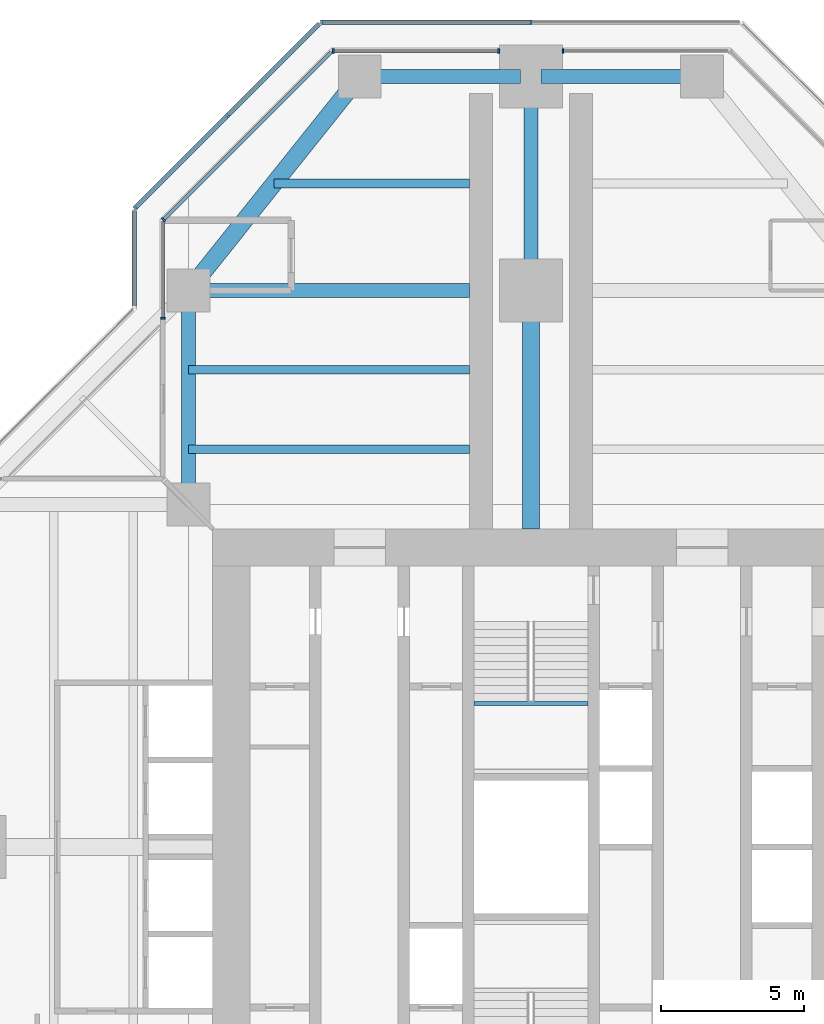
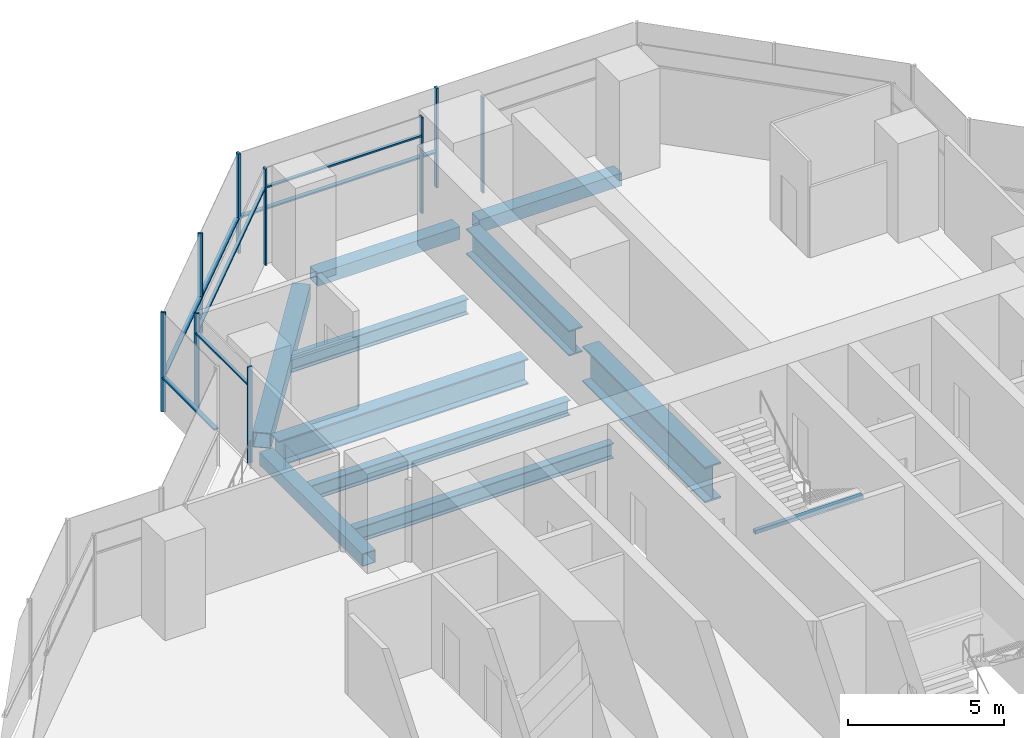
# One storey, part 7 of 17: 16 members, 11 beams, 7 elements without a shape of their own.
"""IFC4 building model written with IfcOpenShell, lengths in metres."""

from ifc_helpers import new_model, si_unit, direction, frame, origin, origin_2d, place, context, subcontext, project, spatial, rectangle, hollow_rectangle, i_section, extrude, material, material_profile, profile_set, type_object, element, aggregate, save


model = new_model("IFC4")

# Units and contexts
model_context = context("Model", 3, precision=1e-05, world=origin(), true_north=direction((0.0, 1.0)))
body_context = subcontext(model_context, "Body", "Model", "MODEL_VIEW")
ifc_project = project(units=[si_unit("LENGTHUNIT", "METRE"), si_unit("AREAUNIT", "SQUARE_METRE"), si_unit("VOLUMEUNIT", "CUBIC_METRE"), si_unit("PLANEANGLEUNIT", "RADIAN"), si_unit("MASSUNIT", "GRAM", prefix="KILO")], contexts=[model_context])

# Site, building, storey
site_placement = place(None, origin())
site = spatial("IfcSite", under=ifc_project, at=site_placement, CompositionType="ELEMENT")
building_placement = place(site_placement, origin())
building = spatial("IfcBuilding", under=site, at=building_placement, Name="Mizan Broadcast Tower", CompositionType="ELEMENT")
storey_placement = place(building_placement, frame((0.0, 0.0, 251.699951171875)))
storey = spatial("IfcBuildingStorey", under=building, at=storey_placement, Name="L59", CompositionType="ELEMENT", Elevation=251.699951171875)

# Beams
ifc_material_1 = material(Name="Steel S355", Category="steel")
ifc_material_profile_1 = material_profile(ifc_material_1, hollow_rectangle(XDim=0.5, YDim=0.5, WallThickness=0.030029296875, at=origin_2d()), Name="BOX 500x500x30")
ifc_profile_set_1 = profile_set([ifc_material_profile_1], Name="Steel S355")
beam_type_1 = type_object("IfcBeamType", Name="EDGE BEAM BOX 500x500x30", PredefinedType="SPANDREL", material=ifc_profile_set_1)
beam_1_placement = place(storey_placement, frame((5.639892578125, 27.0, -0.3798828125), z_axis=(-1.0, 0.0, 0.0), x_axis=(0.0, -1.0, 0.0)))
element("IfcBeam", 1, at=beam_1_placement, inside=storey, type_object=beam_type_1, Name="Edge beam BOX 500x500x30 L59 north arm", PredefinedType="SPANDREL", context=body_context, shape_type="SweptSolid", body=[
    extrude(hollow_rectangle(XDim=0.5, YDim=0.5, WallThickness=0.030029296875, at=origin_2d()), origin(), (0.0, 0.0, 1.0), 5.27978515625),
])
beam_2_placement = place(storey_placement, frame((-12.0, 12.449951171875, -0.3798828125), z_axis=(0.0, 1.0, 0.0), x_axis=(-1.0, 0.0, 0.0)))
element("IfcBeam", 2, at=beam_2_placement, inside=storey, type_object=beam_type_1, Name="Edge beam BOX 500x500x30 L59 north arm", PredefinedType="SPANDREL", context=body_context, shape_type="SweptSolid", body=[
    extrude(hollow_rectangle(XDim=0.5, YDim=0.5, WallThickness=0.030029296875, at=origin_2d()), origin(), (0.0, 0.0, 1.0), 6.60009765625),
])
beam_3_placement = place(storey_placement, frame((-5.639892578125, 27.0, -0.3798828125), z_axis=(1.0, 0.0, 0.0), x_axis=(0.0, 1.0, 0.0)))
element("IfcBeam", 3, at=beam_3_placement, inside=storey, type_object=beam_type_1, Name="Edge beam BOX 500x500x30 L59 north arm", PredefinedType="SPANDREL", context=body_context, shape_type="SweptSolid", body=[
    extrude(hollow_rectangle(XDim=0.5, YDim=0.5, WallThickness=0.030029296875, at=origin_2d()), origin(), (0.0, 0.0, 1.0), 5.27978515625),
])
ifc_material_2 = material(Name="Steel S355", Category="steel")
ifc_material_profile_2 = material_profile(ifc_material_2, hollow_rectangle(XDim=0.60009765625, YDim=0.60009765625, WallThickness=0.030029296875, at=origin_2d()), Name="BOX 600x600x30")
ifc_profile_set_2 = profile_set([ifc_material_profile_2], Name="Steel S355")
beam_type_2 = type_object("IfcBeamType", Name="EDGE BEAM BOX 600x600x30", PredefinedType="SPANDREL", material=ifc_profile_set_2)
beam_4_placement = place(storey_placement, frame((-11.639892578125, 19.949951171875, -0.429931640625), z_axis=(0.624673911726, 0.780885717636, 0.0), x_axis=(-0.780885717636, 0.624673911726, 0.0)))
element("IfcBeam", 4, at=beam_4_placement, inside=storey, type_object=beam_type_2, Name="Edge beam BOX 600x600x30 L59 north arm", PredefinedType="SPANDREL", context=body_context, shape_type="SweptSolid", body=[
    extrude(hollow_rectangle(XDim=0.60009765625, YDim=0.60009765625, WallThickness=0.030029296875, at=origin_2d()), origin(), (0.0, 0.0, 1.0), 8.4521484375),
])
ifc_material_3 = material(Name="Steel S460", Category="steel")
ifc_material_profile_3 = material_profile(ifc_material_3, i_section(OverallWidth=0.5, OverallDepth=1.0, WebThickness=0.02490234375, FlangeThickness=0.050048828125, at=origin_2d()), Name="WPG 1000x500")
ifc_profile_set_3 = profile_set([ifc_material_profile_3], Name="Steel S460")
beam_type_3 = type_object("IfcBeamType", Name="GIRDER WPG 1000x500", PredefinedType="BEAM", material=ifc_profile_set_3)
beam_5_placement = place(storey_placement, frame((0.0, 19.949951171875, -0.6298828125), z_axis=(0.0, 1.0, 0.0), x_axis=(-1.0, 0.0, 0.0)))
element("IfcBeam", 5, at=beam_5_placement, inside=storey, type_object=beam_type_3, Name="Girder WPG 1000x500 L59 north arm", PredefinedType="BEAM", context=body_context, shape_type="SweptSolid", body=[
    extrude(i_section(OverallWidth=0.5, OverallDepth=1.0, WebThickness=0.02490234375, FlangeThickness=0.050048828125, at=origin_2d()), origin(), (0.0, 0.0, 1.0), 6.60009765625),
])
beam_6_placement = place(storey_placement, frame((-11.408935546875, 19.5, -0.6298828125), z_axis=(1.0, 0.0, 0.0), x_axis=(0.0, 1.0, 0.0)))
element("IfcBeam", 6, at=beam_6_placement, inside=storey, type_object=beam_type_3, Name="Girder WPG 1000x500 L59 north arm", PredefinedType="BEAM", context=body_context, shape_type="SweptSolid", body=[
    extrude(i_section(OverallWidth=0.5, OverallDepth=1.0, WebThickness=0.02490234375, FlangeThickness=0.050048828125, at=origin_2d()), origin(), (0.0, 0.0, 1.0), 9.259033203125),
])
ifc_material_4 = material(Name="Steel S460", Category="steel")
ifc_material_profile_4 = material_profile(ifc_material_4, i_section(OverallWidth=0.60009765625, OverallDepth=1.39990234375, WebThickness=0.02490234375, FlangeThickness=0.06005859375, at=origin_2d()), Name="WPG 1400x600")
ifc_profile_set_4 = profile_set([ifc_material_profile_4], Name="Steel S460")
beam_type_4 = type_object("IfcBeamType", Name="GIRDER WPG 1400x600", PredefinedType="BEAM", material=ifc_profile_set_4)
beam_7_placement = place(storey_placement, frame((0.0, 11.14990234375, -0.829833984375), z_axis=(0.0, 1.0, 0.0), x_axis=(-1.0, 0.0, 0.0)))
element("IfcBeam", 7, at=beam_7_placement, inside=storey, type_object=beam_type_4, Name="Girder WPG 1400x600 L59 north arm", PredefinedType="BEAM", context=body_context, shape_type="SweptSolid", body=[
    extrude(i_section(OverallWidth=0.60009765625, OverallDepth=1.39990234375, WebThickness=0.02490234375, FlangeThickness=0.06005859375, at=origin_2d()), origin(), (0.0, 0.0, 1.0), 7.84912109375),
])

# Curtain wall, member
ifc_material_5 = material(Name="Aluminium framed glazing", Category="aluminium")
curtain_wall_type_1 = type_object("IfcCurtainWallType", Name="INNER SKIN HIGH ZONE", PredefinedType="USERDEFINED", material=ifc_material_5)
curtain_wall_1_placement = place(storey_placement, origin())
curtain_wall_1 = element("IfcCurtainWall", 8, at=curtain_wall_1_placement, inside=storey, type_object=curtain_wall_type_1, Name="Inner skin high zone L59 N end", ObjectType="INNER SKIN HIGH ZONE", PredefinedType="USERDEFINED")
ifc_material_6 = material(Name="Aluminium, pale anodised", Category="aluminium")
ifc_material_profile_5 = material_profile(ifc_material_6, rectangle(XDim=0.159912109375, YDim=0.06005859375, at=origin_2d()), Name="MULLION 160x60")
ifc_profile_set_5 = profile_set([ifc_material_profile_5], Name="Aluminium, pale anodised")
member_type_1 = type_object("IfcMemberType", Name="INNER SKIN MULLION 60x160", PredefinedType="MULLION", material=ifc_profile_set_5)
member_1_placement = place(storey_placement, frame((1.1298828125, 27.89990234375, 0.0), z_axis=(0.0, 0.0, 1.0), x_axis=(0.0, -1.0, 0.0)))
member_1 = element("IfcMember", 9, at=member_1_placement, type_object=member_type_1, Name="Inner skin high zone L59 N end mullion 2", PredefinedType="MULLION", context=body_context, shape_type="SweptSolid", body=[
    extrude(rectangle(XDim=0.159912109375, YDim=0.06005859375, at=origin_2d()), origin(), (0.0, 0.0, 1.0), 3.77001953125),
])
aggregate(curtain_wall_1, [member_1])

# Curtain wall, members
curtain_wall_2_placement = place(storey_placement, origin())
curtain_wall_2 = element("IfcCurtainWall", 10, at=curtain_wall_2_placement, inside=storey, type_object=curtain_wall_type_1, Name="Inner skin high zone L59 N end", ObjectType="INNER SKIN HIGH ZONE", PredefinedType="USERDEFINED")
member_2_placement = place(storey_placement, frame((-1.1298828125, 27.89990234375, 0.0), z_axis=(0.0, 0.0, 1.0), x_axis=(0.0, -1.0, 0.0)))
member_2 = element("IfcMember", 11, at=member_2_placement, type_object=member_type_1, Name="Inner skin high zone L59 N end mullion 1", PredefinedType="MULLION", context=body_context, shape_type="SweptSolid", body=[
    extrude(rectangle(XDim=0.159912109375, YDim=0.06005859375, at=origin_2d()), origin(), (0.0, 0.0, 1.0), 3.77001953125),
])
member_3_placement = place(storey_placement, frame((-6.928466796875, 27.89990234375, 0.0), z_axis=(0.0, 0.0, 1.0), x_axis=(0.0, -1.0, 0.0)))
member_3 = element("IfcMember", 12, at=member_3_placement, type_object=member_type_1, Name="Inner skin high zone L59 N end mullion 2", PredefinedType="MULLION", context=body_context, shape_type="SweptSolid", body=[
    extrude(rectangle(XDim=0.159912109375, YDim=0.06005859375, at=origin_2d()), origin(), (0.0, 0.0, 1.0), 3.77001953125),
])

# Curtain wall, member
curtain_wall_3_placement = place(storey_placement, origin())
curtain_wall_3 = element("IfcCurtainWall", 13, at=curtain_wall_3_placement, inside=storey, type_object=curtain_wall_type_1, Name="Inner skin high zone L59 N chamfer", ObjectType="INNER SKIN HIGH ZONE", PredefinedType="USERDEFINED")
member_4_placement = place(storey_placement, frame((-12.87890625, 21.979736328125, 0.0), z_axis=(0.0, 0.0, 1.0), x_axis=(0.707106781187, -0.707106781187, 0.0)))
member_4 = element("IfcMember", 14, at=member_4_placement, type_object=member_type_1, Name="Inner skin high zone L59 N chamfer mullion 2", PredefinedType="MULLION", context=body_context, shape_type="SweptSolid", body=[
    extrude(rectangle(XDim=0.159912109375, YDim=0.06005859375, at=origin_2d()), origin(), (0.0, 0.0, 1.0), 3.77001953125),
])

curtain_wall_4_placement = place(storey_placement, origin())
curtain_wall_4 = element("IfcCurtainWall", 15, at=curtain_wall_4_placement, inside=storey, type_object=curtain_wall_type_1, Name="Inner skin high zone L59 N side", ObjectType="INNER SKIN HIGH ZONE", PredefinedType="USERDEFINED")
member_5_placement = place(storey_placement, frame((-12.89990234375, 18.530029296875, 0.0), z_axis=(0.0, 0.0, 1.0), x_axis=(1.0, 0.0, 0.0)))
member_5 = element("IfcMember", 16, at=member_5_placement, type_object=member_type_1, Name="Inner skin high zone L59 N side mullion 2", PredefinedType="MULLION", context=body_context, shape_type="SweptSolid", body=[
    extrude(rectangle(XDim=0.159912109375, YDim=0.06005859375, at=origin_2d()), origin(), (0.0, 0.0, 1.0), 3.77001953125),
])

# Member
ifc_material_7 = material(Name="Aluminium, pale anodised", Category="aluminium")
ifc_material_profile_6 = material_profile(ifc_material_7, rectangle(XDim=0.1201171875, YDim=0.06005859375, at=origin_2d()), Name="TRANSOM 120x60")
ifc_profile_set_6 = profile_set([ifc_material_profile_6], Name="Aluminium, pale anodised")
member_type_2 = type_object("IfcMemberType", Name="INNER SKIN TRANSOM 60x120", PredefinedType="USERDEFINED", material=ifc_profile_set_6)
member_6_placement = place(storey_placement, frame((-1.159912109375, 27.89990234375, 3.030029296875), z_axis=(-1.0, 0.0, 0.0), x_axis=(0.0, -1.0, 0.0)))
member_6 = element("IfcMember", 17, at=member_6_placement, type_object=member_type_2, Name="Inner skin high zone L59 N end transom 1.1", ObjectType="TRANSOM", PredefinedType="USERDEFINED", context=body_context, shape_type="SweptSolid", body=[
    extrude(rectangle(XDim=0.1201171875, YDim=0.06005859375, at=origin_2d()), origin(), (0.0, 0.0, 1.0), 5.73876953125),
])

aggregate(curtain_wall_2, [member_2, member_3, member_6])

member_7_placement = place(storey_placement, frame((-7.0009765625, 27.857666015625, 3.030029296875), z_axis=(-0.707106781187, -0.707106781187, 0.0), x_axis=(0.707106781187, -0.707106781187, 0.0)))
member_7 = element("IfcMember", 18, at=member_7_placement, type_object=member_type_2, Name="Inner skin high zone L59 N chamfer transom 1.1", ObjectType="TRANSOM", PredefinedType="USERDEFINED", context=body_context, shape_type="SweptSolid", body=[
    extrude(rectangle(XDim=0.1201171875, YDim=0.06005859375, at=origin_2d()), origin(), (0.0, 0.0, 1.0), 8.28271484375),
])

aggregate(curtain_wall_3, [member_4, member_7])

member_8_placement = place(storey_placement, frame((-12.89990234375, 21.898681640625, 3.030029296875), z_axis=(0.0, -1.0, 0.0), x_axis=(1.0, 0.0, 0.0)))
member_8 = element("IfcMember", 19, at=member_8_placement, type_object=member_type_2, Name="Inner skin high zone L59 N side transom 1.1", ObjectType="TRANSOM", PredefinedType="USERDEFINED", context=body_context, shape_type="SweptSolid", body=[
    extrude(rectangle(XDim=0.1201171875, YDim=0.06005859375, at=origin_2d()), origin(), (0.0, 0.0, 1.0), 3.338623046875),
])

aggregate(curtain_wall_4, [member_5, member_8])

# Beam
ifc_material_8 = material(Name="Steel S355", Category="steel")
ifc_material_profile_7 = material_profile(ifc_material_8, hollow_rectangle(XDim=0.14990234375, YDim=0.14990234375, WallThickness=0.008056640625, InnerFilletRadius=0.008056640625, OuterFilletRadius=0.011962890625, at=origin_2d()), Name="SHS 150x150x8")
ifc_profile_set_7 = profile_set([ifc_material_profile_7], Name="Steel S355")
beam_type_5 = type_object("IfcBeamType", Name="LANDING TRIMMER SHS 150x150x8", PredefinedType="BEAM", material=ifc_profile_set_7)
beam_8_placement = place(storey_placement, frame((2.0, 5.02490234375, 1.675048828125), z_axis=(-1.0, 0.0, 0.0), x_axis=(0.0, -1.0, 0.0)))
element("IfcBeam", 20, at=beam_8_placement, inside=storey, type_object=beam_type_5, Name="Stair B landing trimmer L59", PredefinedType="BEAM", context=body_context, shape_type="SweptSolid", body=[
    extrude(hollow_rectangle(XDim=0.14990234375, YDim=0.14990234375, WallThickness=0.008056640625, InnerFilletRadius=0.008056640625, OuterFilletRadius=0.011962890625, at=origin_2d()), origin(), (0.0, 0.0, 1.0), 4.0),
])

# Curtain wall, members
ifc_material_9 = material(Name="Aluminium framed glazing", Category="aluminium")
curtain_wall_type_2 = type_object("IfcCurtainWallType", Name="OUTER SKIN", PredefinedType="USERDEFINED", material=ifc_material_9)
curtain_wall_5_placement = place(storey_placement, origin())
curtain_wall_5 = element("IfcCurtainWall", 21, at=curtain_wall_5_placement, inside=storey, type_object=curtain_wall_type_2, Name="Outer skin L59 N end", ObjectType="OUTER SKIN", PredefinedType="USERDEFINED")
ifc_material_10 = material(Name="Aluminium, pale anodised", Category="aluminium")
ifc_material_profile_8 = material_profile(ifc_material_10, rectangle(XDim=0.159912109375, YDim=0.080078125, at=origin_2d()), Name="MULLION 160x80")
ifc_profile_set_8 = profile_set([ifc_material_profile_8], Name="Aluminium, pale anodised")
member_type_3 = type_object("IfcMemberType", Name="OUTER SKIN MULLION 80x160", PredefinedType="MULLION", material=ifc_profile_set_8)
member_9_placement = place(storey_placement, frame((0.0, 28.89990234375, 0.0), z_axis=(0.0, 0.0, 1.0), x_axis=(0.0, -1.0, 0.0)))
member_9 = element("IfcMember", 22, at=member_9_placement, type_object=member_type_3, Name="Outer skin L59 N end mullion 2", PredefinedType="MULLION", context=body_context, shape_type="SweptSolid", body=[
    extrude(rectangle(XDim=0.159912109375, YDim=0.080078125, at=origin_2d()), origin(), (0.0, 0.0, 1.0), 3.900146484375),
])
member_10_placement = place(storey_placement, frame((-7.332763671875, 28.89990234375, 0.0), z_axis=(0.0, 0.0, 1.0), x_axis=(0.0, -1.0, 0.0)))
member_10 = element("IfcMember", 23, at=member_10_placement, type_object=member_type_3, Name="Outer skin L59 N end mullion 3", PredefinedType="MULLION", context=body_context, shape_type="SweptSolid", body=[
    extrude(rectangle(XDim=0.159912109375, YDim=0.080078125, at=origin_2d()), origin(), (0.0, 0.0, 1.0), 3.900146484375),
])

curtain_wall_6_placement = place(storey_placement, origin())
curtain_wall_6 = element("IfcCurtainWall", 24, at=curtain_wall_6_placement, inside=storey, type_object=curtain_wall_type_2, Name="Outer skin L59 N chamfer", ObjectType="OUTER SKIN", PredefinedType="USERDEFINED")
member_11_placement = place(storey_placement, frame((-10.636474609375, 25.636474609375, 0.0), z_axis=(0.0, 0.0, 1.0), x_axis=(0.707106781187, -0.707106781187, 0.0)))
member_11 = element("IfcMember", 25, at=member_11_placement, type_object=member_type_3, Name="Outer skin L59 N chamfer mullion 2", PredefinedType="MULLION", context=body_context, shape_type="SweptSolid", body=[
    extrude(rectangle(XDim=0.159912109375, YDim=0.080078125, at=origin_2d()), origin(), (0.0, 0.0, 1.0), 3.900146484375),
])
member_12_placement = place(storey_placement, frame((-13.871826171875, 22.401123046875, 0.0), z_axis=(0.0, 0.0, 1.0), x_axis=(0.707106781187, -0.707106781187, 0.0)))
member_12 = element("IfcMember", 26, at=member_12_placement, type_object=member_type_3, Name="Outer skin L59 N chamfer mullion 3", PredefinedType="MULLION", context=body_context, shape_type="SweptSolid", body=[
    extrude(rectangle(XDim=0.159912109375, YDim=0.080078125, at=origin_2d()), origin(), (0.0, 0.0, 1.0), 3.900146484375),
])

# Member
ifc_material_11 = material(Name="Aluminium, pale anodised", Category="aluminium")
ifc_material_profile_9 = material_profile(ifc_material_11, rectangle(XDim=0.159912109375, YDim=0.06005859375, at=origin_2d()), Name="TRANSOM 160x60")
ifc_profile_set_9 = profile_set([ifc_material_profile_9], Name="Aluminium, pale anodised")
member_type_4 = type_object("IfcMemberType", Name="OUTER SKIN TRANSOM 60x160", PredefinedType="USERDEFINED", material=ifc_profile_set_9)
member_13_placement = place(storey_placement, frame((-0.0400390625, 28.89990234375, 1.400146484375), z_axis=(-1.0, 0.0, 0.0), x_axis=(0.0, -1.0, 0.0)))
member_13 = element("IfcMember", 27, at=member_13_placement, type_object=member_type_4, Name="Outer skin L59 N end transom 2.1", ObjectType="TRANSOM", PredefinedType="USERDEFINED", context=body_context, shape_type="SweptSolid", body=[
    extrude(rectangle(XDim=0.159912109375, YDim=0.06005859375, at=origin_2d()), origin(), (0.0, 0.0, 1.0), 7.252685546875),
])

aggregate(curtain_wall_5, [member_9, member_10, member_13])

member_14_placement = place(storey_placement, frame((-7.429443359375, 28.843505859375, 1.400146484375), z_axis=(-0.707106781187, -0.707106781187, 0.0), x_axis=(0.707106781187, -0.707106781187, 0.0)))
member_14 = element("IfcMember", 28, at=member_14_placement, type_object=member_type_4, Name="Outer skin L59 N chamfer transom 1.1", ObjectType="TRANSOM", PredefinedType="USERDEFINED", context=body_context, shape_type="SweptSolid", body=[
    extrude(rectangle(XDim=0.159912109375, YDim=0.06005859375, at=origin_2d()), origin(), (0.0, 0.0, 1.0), 4.495361328125),
])

member_15_placement = place(storey_placement, frame((-10.664794921875, 25.608154296875, 1.400146484375), z_axis=(-0.707106781187, -0.707106781187, 0.0), x_axis=(0.707106781187, -0.707106781187, 0.0)))
member_15 = element("IfcMember", 29, at=member_15_placement, type_object=member_type_4, Name="Outer skin L59 N chamfer transom 2.1", ObjectType="TRANSOM", PredefinedType="USERDEFINED", context=body_context, shape_type="SweptSolid", body=[
    extrude(rectangle(XDim=0.159912109375, YDim=0.06005859375, at=origin_2d()), origin(), (0.0, 0.0, 1.0), 4.495361328125),
])

aggregate(curtain_wall_6, [member_11, member_12, member_14, member_15])

# Curtain wall, member
curtain_wall_7_placement = place(storey_placement, origin())
curtain_wall_7 = element("IfcCurtainWall", 30, at=curtain_wall_7_placement, inside=storey, type_object=curtain_wall_type_2, Name="Outer skin L59 N side", ObjectType="OUTER SKIN", PredefinedType="USERDEFINED")
member_16_placement = place(storey_placement, frame((-13.89990234375, 22.292724609375, 1.400146484375), z_axis=(0.0, -1.0, 0.0), x_axis=(1.0, 0.0, 0.0)))
member_16 = element("IfcMember", 31, at=member_16_placement, type_object=member_type_4, Name="Outer skin L59 N side transom 1.1", ObjectType="TRANSOM", PredefinedType="USERDEFINED", context=body_context, shape_type="SweptSolid", body=[
    extrude(rectangle(XDim=0.159912109375, YDim=0.06005859375, at=origin_2d()), origin(), (0.0, 0.0, 1.0), 3.33984375),
])
aggregate(curtain_wall_7, [member_16])

# Beams
ifc_material_12 = material(Name="Steel S355", Category="steel")
ifc_material_profile_10 = material_profile(ifc_material_12, i_section(OverallWidth=0.300048828125, OverallDepth=0.590087890625, WebThickness=0.012939453125, FlangeThickness=0.02490234375, FilletRadius=0.027099609375, at=origin_2d()), Name="HEA 600")
ifc_profile_set_10 = profile_set([ifc_material_profile_10], Name="Steel S355")
beam_type_6 = type_object("IfcBeamType", Name="SECONDARY BEAM HEA 600", PredefinedType="JOIST", material=ifc_profile_set_10)
for number, where, z_axis, x_axis, name in (
    (32, (-12.0, 13.933349609375, -0.425048828125), (1.0, 0.0, 0.0), (0.0, 1.0, 0.0), "Secondary beam HEA 600 L59 north arm"),
    (33, (-12.0, 16.716552734375, -0.425048828125), (1.0, 0.0, 0.0), (0.0, 1.0, 0.0), "Secondary beam HEA 600 L59 north arm"),
):
    element("IfcBeam", number, at=place(storey_placement, frame(where, z_axis=z_axis, x_axis=x_axis)), inside=storey, type_object=beam_type_6, Name=name, PredefinedType="JOIST", context=body_context, shape_type="SweptSolid", body=[
        extrude(i_section(OverallWidth=0.300048828125, OverallDepth=0.590087890625, WebThickness=0.012939453125, FlangeThickness=0.02490234375, FilletRadius=0.027099609375, at=origin_2d()), origin(), (0.0, 0.0, 1.0), 9.85009765625),
    ])
beam_9_placement = place(storey_placement, frame((-9.0, 23.25, -0.425048828125), z_axis=(1.0, 0.0, 0.0), x_axis=(0.0, 1.0, 0.0)))
element("IfcBeam", 34, at=beam_9_placement, inside=storey, type_object=beam_type_6, Name="Secondary beam HEA 600 L59 north arm", PredefinedType="JOIST", context=body_context, shape_type="SweptSolid", body=[
    extrude(i_section(OverallWidth=0.300048828125, OverallDepth=0.590087890625, WebThickness=0.012939453125, FlangeThickness=0.02490234375, FilletRadius=0.027099609375, at=origin_2d()), origin(), (0.0, 0.0, 1.0), 6.85009765625),
])

save(model, "model.ifc")
